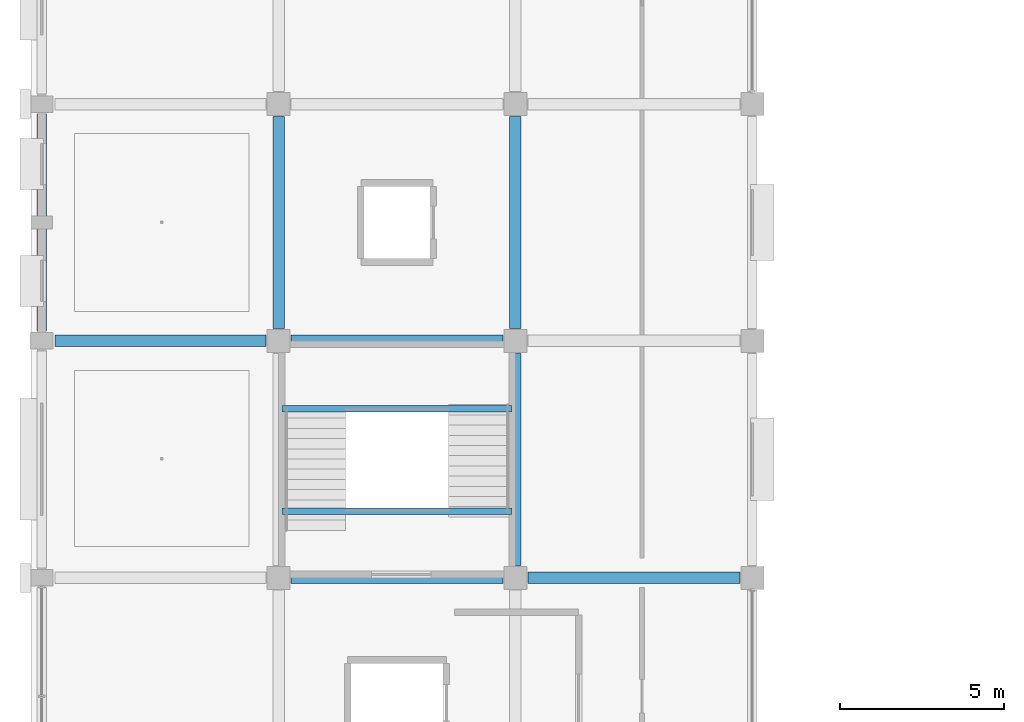
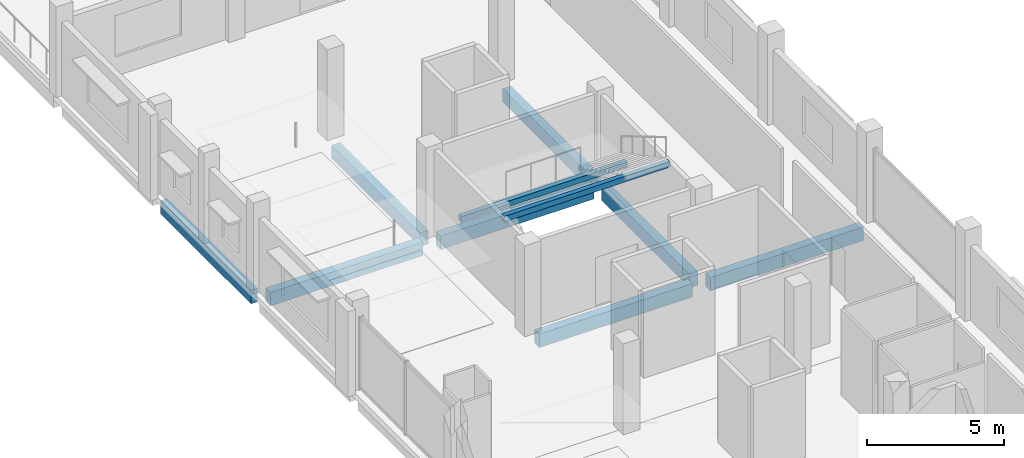
# One storey, part 16 of 77: 10 beams.
"""IFC4 building model written with IfcOpenShell, lengths in metres."""

from ifc_helpers import new_model, si_unit, direction, frame, origin, origin_2d, place, context, subcontext, project, spatial, rectangle, extrude, material, material_profile, profile_set, type_object, element, save


model = new_model("IFC4")

# Units and contexts
model_context = context("Model", 3, precision=1e-05, world=origin(), true_north=direction((0.0, 1.0)))
body_context = subcontext(model_context, "Body", "Model", "MODEL_VIEW")
ifc_project = project(units=[si_unit("LENGTHUNIT", "METRE"), si_unit("AREAUNIT", "SQUARE_METRE"), si_unit("VOLUMEUNIT", "CUBIC_METRE"), si_unit("PLANEANGLEUNIT", "RADIAN"), si_unit("MASSUNIT", "GRAM", prefix="KILO")], contexts=[model_context])

# Site, building, storey
site_placement = place(None, origin())
site = spatial("IfcSite", under=ifc_project, at=site_placement, CompositionType="ELEMENT")
building_placement = place(site_placement, origin())
building = spatial("IfcBuilding", under=site, at=building_placement, Name="Kangsadwip Square Police Headquarters", CompositionType="ELEMENT")
storey_placement = place(building_placement, frame((0.0, 0.0, 17.550048828125)))
storey = spatial("IfcBuildingStorey", under=building, at=storey_placement, Name="L04", CompositionType="ELEMENT", Elevation=17.550048828125)

# Beams
ifc_material_1 = material(Name="Concrete M35 (35 MPa)", Category="concrete")
ifc_material_profile_1 = material_profile(ifc_material_1, rectangle(XDim=0.35009765625, YDim=0.60009765625, at=origin_2d()), Name="RC BM 600X350")
ifc_profile_set_1 = profile_set([ifc_material_profile_1], Name="Concrete M35 (35 MPa)")
beam_type_1 = type_object("IfcBeamType", Name="RcBeam600x350", PredefinedType="BEAM", material=ifc_profile_set_1)
beam_1_placement = place(storey_placement, frame((7.574951171875, 72.0, -0.5400390625), z_axis=(1.0, 0.0, 0.0), x_axis=(0.0, 1.0, 0.0)))
element("IfcBeam", 1, at=beam_1_placement, inside=storey, type_object=beam_type_1, Name="Beam BM-L04-X-01-10", PredefinedType="BEAM", context=body_context, shape_type="SweptSolid", body=[
    extrude(rectangle(XDim=0.35009765625, YDim=0.60009765625, at=origin_2d()), origin(), (0.0, 0.0, 1.0), 6.449951171875),
])
beam_2_placement = place(storey_placement, frame((14.77490234375, 72.0, -0.5400390625), z_axis=(1.0, 0.0, 0.0), x_axis=(0.0, 1.0, 0.0)))
element("IfcBeam", 2, at=beam_2_placement, inside=storey, type_object=beam_type_1, Name="Beam BM-L04-X-02-10", PredefinedType="BEAM", context=body_context, shape_type="SweptSolid", body=[
    extrude(rectangle(XDim=0.35009765625, YDim=0.60009765625, at=origin_2d()), origin(), (0.0, 0.0, 1.0), 6.4501953125),
])
beam_3_placement = place(storey_placement, frame((0.39990234375, 79.199951171875, -0.5400390625), z_axis=(1.0, 0.0, 0.0), x_axis=(0.0, 1.0, 0.0)))
element("IfcBeam", 3, at=beam_3_placement, inside=storey, type_object=beam_type_1, Name="Beam BM-L04-X-00-11", PredefinedType="BEAM", context=body_context, shape_type="SweptSolid", body=[
    extrude(rectangle(XDim=0.35009765625, YDim=0.60009765625, at=origin_2d()), origin(), (0.0, 0.0, 1.0), 6.425048828125),
])
for number, where, z_axis, x_axis, name in (
    (4, (7.574951171875, 79.199951171875, -0.5400390625), (1.0, 0.0, 0.0), (0.0, 1.0, 0.0), "Beam BM-L04-X-01-11"),
    (5, (7.199951171875, 79.574951171875, -0.5400390625), (0.0, 1.0, 0.0), (-1.0, 0.0, 0.0), "Beam BM-L04-Y-01-11"),
    (6, (14.39990234375, 72.375, -0.5400390625), (0.0, 1.0, 0.0), (-1.0, 0.0, 0.0), "Beam BM-L04-Y-02-10"),
    (7, (14.39990234375, 79.574951171875, -0.5400390625), (0.0, 1.0, 0.0), (-1.0, 0.0, 0.0), "Beam BM-L04-Y-02-11"),
):
    element("IfcBeam", number, at=place(storey_placement, frame(where, z_axis=z_axis, x_axis=x_axis)), inside=storey, type_object=beam_type_1, Name=name, PredefinedType="BEAM", context=body_context, shape_type="SweptSolid", body=[
        extrude(rectangle(XDim=0.35009765625, YDim=0.60009765625, at=origin_2d()), origin(), (0.0, 0.0, 1.0), 6.449951171875),
    ])
ifc_material_2 = material(Name="Concrete M30 (30 MPa)", Category="concrete")
ifc_material_profile_2 = material_profile(ifc_material_2, rectangle(XDim=0.199951171875, YDim=0.25, at=origin_2d()), Name="RC LNT 250X200")
ifc_profile_set_2 = profile_set([ifc_material_profile_2], Name="Concrete M30 (30 MPa)")
beam_type_2 = type_object("IfcBeamType", Name="RcLintel250x200", PredefinedType="LINTEL", material=ifc_profile_set_2)
for number, where, z_axis, x_axis, name in (
    (8, (7.300048828125, 77.139892578125, 1.801025390625), (1.0, 0.0, 0.0), (0.0, 1.0, 0.0), "Stair Carriage and Landing Beam BM-ST-L04-031"),
    (9, (7.300048828125, 74.02001953125, 3.704833984375), (1.0, 0.0, 0.0), (0.0, 1.0, 0.0), "Stair Carriage and Landing Beam BM-ST-L04-032"),
):
    element("IfcBeam", number, at=place(storey_placement, frame(where, z_axis=z_axis, x_axis=x_axis)), inside=storey, type_object=beam_type_2, Name=name, PredefinedType="BEAM", context=body_context, shape_type="SweptSolid", body=[
        extrude(rectangle(XDim=0.199951171875, YDim=0.25, at=origin_2d()), origin(), (0.0, 0.0, 1.0), 7.0),
    ])
ifc_material_3 = material(Name="Concrete M40 (40 MPa)", Category="concrete")
ifc_material_profile_3 = material_profile(ifc_material_3, rectangle(XDim=0.280029296875, YDim=0.60009765625, at=origin_2d()), Name="RC SPN 600X280")
ifc_profile_set_3 = profile_set([ifc_material_profile_3], Name="Concrete M40 (40 MPa)")
beam_type_3 = type_object("IfcBeamType", Name="RcSpandrel600x280", PredefinedType="SPANDREL", material=ifc_profile_set_3)
beam_4_placement = place(storey_placement, frame((0.0, 79.5, -0.5400390625), z_axis=(0.0, 1.0, 0.0), x_axis=(-1.0, 0.0, 0.0)))
element("IfcBeam", 10, at=beam_4_placement, inside=storey, type_object=beam_type_3, Name="Beam BM-L04-Y-00-11", PredefinedType="SPANDREL", context=body_context, shape_type="SweptSolid", body=[
    extrude(rectangle(XDim=0.280029296875, YDim=0.60009765625, at=origin_2d()), origin(), (0.0, 0.0, 1.0), 6.60009765625),
])

save(model, "model.ifc")
